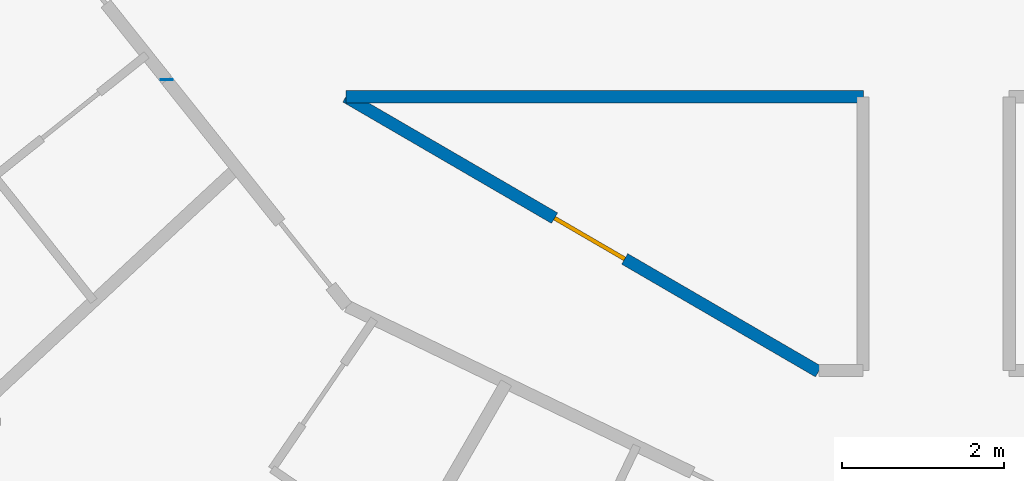
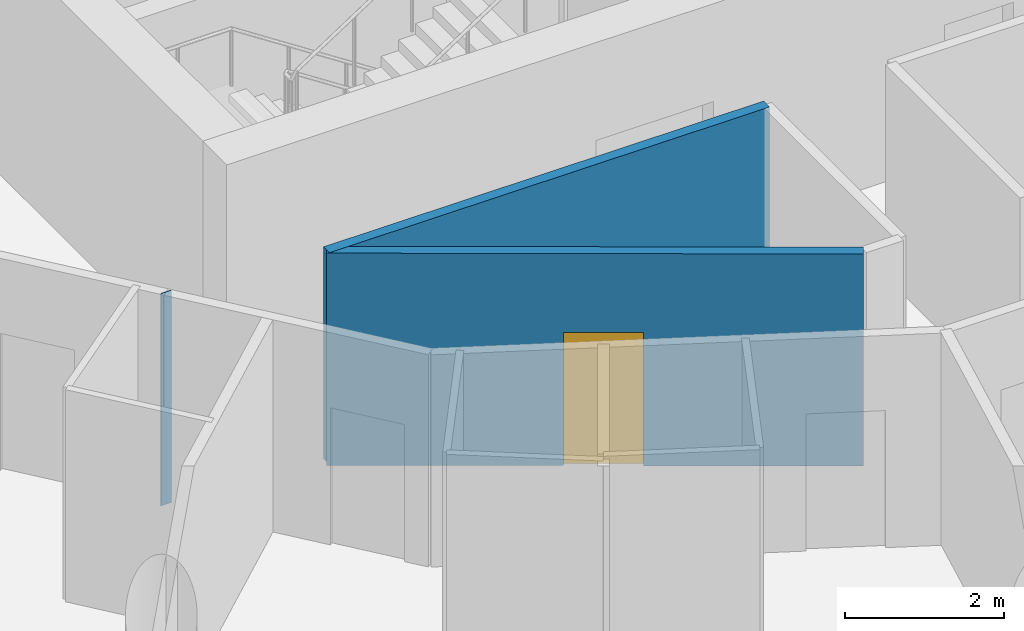
# One storey, part 3 of 12: 3 walls, 1 door, 1 opening.
"""IFC4 building model written with IfcOpenShell, lengths in metres."""

from ifc_helpers import new_model, si_unit, direction, frame, frame_2d, origin, place, context, subcontext, project, spatial, rectangle, extrude, material, layer, layer_set, type_object, element, fill, save


model = new_model("IFC4")

# Units and contexts
model_context = context("Model", 3, precision=1e-05, world=origin(), true_north=direction((0.0, 1.0)))
body_context = subcontext(model_context, "Body", "Model", "MODEL_VIEW")
ifc_project = project(units=[si_unit("LENGTHUNIT", "METRE"), si_unit("AREAUNIT", "SQUARE_METRE"), si_unit("VOLUMEUNIT", "CUBIC_METRE"), si_unit("PLANEANGLEUNIT", "RADIAN"), si_unit("MASSUNIT", "GRAM", prefix="KILO")], contexts=[model_context])

# Site, building, storey
site_placement = place(None, origin())
site = spatial("IfcSite", under=ifc_project, at=site_placement, CompositionType="ELEMENT")
building_placement = place(site_placement, origin())
building = spatial("IfcBuilding", under=site, at=building_placement, Name="Tracery Tower", CompositionType="ELEMENT")
storey_placement = place(building_placement, frame((0.0, 0.0, 283.800048828125)))
storey = spatial("IfcBuildingStorey", under=building, at=storey_placement, Name="L73", CompositionType="ELEMENT", Elevation=283.800048828125)

# Wall
ifc_material_1 = material(Name="Plasterboard on steel studs", Category="steel")
ifc_layer = layer(ifc_material_1, 0.14990234375)
ifc_layer_set = layer_set([ifc_layer], Name="Partition 150 corridor wall")
wall_type = type_object("IfcWallType", Name="Partition 150 corridor wall", PredefinedType="PARTITIONING", material=ifc_layer_set)
wall_1_placement = place(storey_placement, frame((-9.092041015625, -8.800048828125, 0.0), z_axis=(0.0, 0.0, 1.0), x_axis=(1.0, 0.0, 0.0)))
element("IfcWall", 1, at=wall_1_placement, inside=storey, type_object=wall_type, Name="Corridor wall RC6-011", PredefinedType="PARTITIONING", context=body_context, shape_type="SweptSolid", body=[
    extrude(rectangle(XDim=6.3759765625, YDim=0.14990234375, at=frame_2d((3.18798828125, 0.0))), origin(), (0.0, 0.0, 1.0), 3.25),
])

# Wall, opening, door
wall_2_placement = place(storey_placement, frame((-9.092041015625, -8.800048828125, 0.0), z_axis=(0.0, 0.0, 1.0), x_axis=(0.864470922103, -0.502682827277, 0.0)))
wall_2 = element("IfcWall", 2, at=wall_2_placement, inside=storey, type_object=wall_type, Name="Corridor wall RC6-012", PredefinedType="PARTITIONING", context=body_context, shape_type="SweptSolid", body=[
    extrude(rectangle(XDim=6.7353515625, YDim=0.14990234375, at=frame_2d((3.36767578125, 0.0))), origin(), (0.0, 0.0, 1.0), 3.25),
])
opening_placement = place(wall_2_placement, frame((2.9736328125, 0.0, 0.0)))
opening = element("IfcOpeningElement", 3, at=opening_placement, cuts=wall_2, Name="Opening RC6-03", PredefinedType="OPENING", context=body_context, shape_type="SweptSolid", body=[
    extrude(rectangle(XDim=1.0, YDim=2.0400390625, at=frame_2d((0.5, 1.02001953125))), frame((0.0, 0.074951171875, 0.0), z_axis=(0.0, -1.0, 0.0), x_axis=(1.0, 0.0, 0.0)), (0.0, 0.0, 1.0), 0.14990234375),
])
ifc_material_2 = material(Name="Timber door leaf", Category="wood")
door_type = type_object("IfcDoorType", Name="Door communal room 1000", OperationType="NOTDEFINED", PredefinedType="DOOR", material=ifc_material_2)
door_placement = place(opening_placement, origin())
door = element("IfcDoor", 4, at=door_placement, inside=storey, type_object=door_type, Name="Communal room door RC6-03", OperationType="SINGLE_SWING_LEFT", OverallHeight=2.0400390625, OverallWidth=1.0, PredefinedType="DOOR", context=body_context, shape_type="SweptSolid", body=[
    extrude(rectangle(XDim=1.0, YDim=2.0400390625, at=frame_2d((0.5, 1.02001953125))), frame((0.0, 0.02490234375, 0.0), z_axis=(0.0, -1.0, 0.0), x_axis=(1.0, 0.0, 0.0)), (0.0, 0.0, 1.0), 0.050048828125),
])
fill(opening, door)

# Wall
wall_3_placement = place(storey_placement, frame((-11.300048828125, -8.59619140625, 0.0), z_axis=(0.0, 0.0, 1.0), x_axis=(0.0, 1.0, 0.0)))
element("IfcWall", 5, at=wall_3_placement, inside=storey, type_object=wall_type, Name="Corridor wall RC6-017", PredefinedType="PARTITIONING", context=body_context, shape_type="SweptSolid", body=[
    extrude(rectangle(XDim=0.00927734375, YDim=0.14990234375, at=frame_2d((0.004638671875, 0.0))), origin(), (0.0, 0.0, 1.0), 3.25),
])

save(model, "model.ifc")
